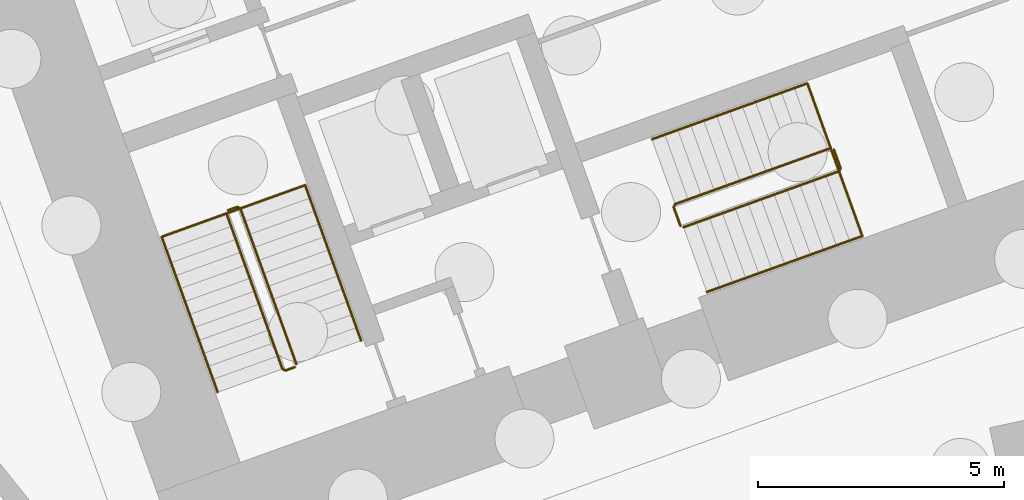
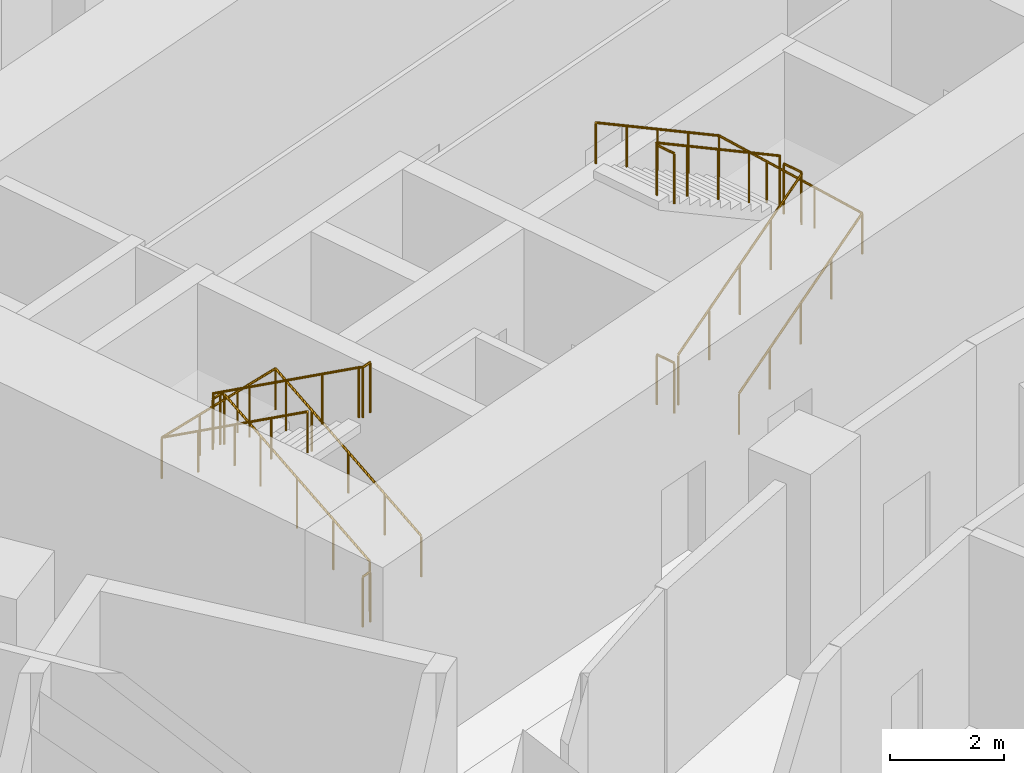
# One storey, part 23 of 25: 8 railings.
"""IFC4 building model written with IfcOpenShell, lengths in metres."""

from ifc_helpers import new_model, si_unit, direction, frame, origin, origin_2d, place, context, subcontext, project, spatial, circle, extrude, material, type_object, element, save


model = new_model("IFC4")

# Units and contexts
model_context = context("Model", 3, precision=1e-05, world=origin(), true_north=direction((0.0, 1.0)))
body_context = subcontext(model_context, "Body", "Model", "MODEL_VIEW")
ifc_project = project(units=[si_unit("LENGTHUNIT", "METRE"), si_unit("AREAUNIT", "SQUARE_METRE"), si_unit("VOLUMEUNIT", "CUBIC_METRE"), si_unit("PLANEANGLEUNIT", "RADIAN"), si_unit("MASSUNIT", "GRAM", prefix="KILO")], contexts=[model_context])

# Site, building, storey
site_placement = place(None, origin())
site = spatial("IfcSite", under=ifc_project, at=site_placement, CompositionType="ELEMENT")
building_placement = place(site_placement, origin())
building = spatial("IfcBuilding", under=site, at=building_placement, Name="Stone Belt Terrace Tower", CompositionType="ELEMENT")
storey_placement = place(building_placement, frame((0.0, 0.0, -13.5)))
storey = spatial("IfcBuildingStorey", under=building, at=storey_placement, Name="B3", CompositionType="ELEMENT", Elevation=-13.5)

# Railings
ifc_material = material(Name="Structural steel C345", Category="steel")
railing_type_1 = type_object("IfcRailingType", Name="Stair guard 1100", PredefinedType="GUARDRAIL", material=ifc_material)
railing_1_placement = place(storey_placement, frame((-24.2119140625, 45.276123046875, 0.173095703125)))
element("IfcRailing", 1, at=railing_1_placement, inside=storey, type_object=railing_type_1, Name="B3 ST1A stair guard 1", PredefinedType="GUARDRAIL", context=body_context, shape_type="SweptSolid", body=[
    extrude(circle(Radius=0.02392578125, at=origin_2d()), frame((0.0, 0.0, 1.076171875), z_axis=(-0.288083704321, 0.800342391602, 0.525794480296), x_axis=(-0.940902231577, -0.338678299589, 0.0)), (0.0, 0.0, 1.0), 3.949951171875),
    extrude(circle(Radius=0.02392578125, at=origin_2d()), frame((-1.137939453125, 3.161376953125, 3.15283203125), z_axis=(-0.903878284585, 0.427789722475, 0.0), x_axis=(-0.427789722475, -0.903878284585, 0.0)), (0.0, 0.0, 1.0), 0.07080078125),
    extrude(circle(Radius=0.02392578125, at=origin_2d()), frame((-1.201904296875, 3.191650390625, 3.15283203125), z_axis=(-0.940575576748, -0.339584429008, 0.0), x_axis=(0.339584429008, -0.940575576748, 0.0)), (0.0, 0.0, 1.0), 0.199951171875),
    extrude(circle(Radius=0.02099609375, at=origin_2d()), origin(), (0.0, 0.0, 1.0), 1.052001953125),
    extrude(circle(Radius=0.02099609375, at=origin_2d()), frame((-0.284423828125, 0.790283203125, 0.519287109375)), (0.0, 0.0, 1.0), 1.052001953125),
    extrude(circle(Radius=0.02099609375, at=origin_2d()), frame((-0.56884765625, 1.58056640625, 1.03857421875)), (0.0, 0.0, 1.0), 1.052001953125),
    extrude(circle(Radius=0.02099609375, at=origin_2d()), frame((-0.853515625, 2.37109375, 1.5576171875)), (0.0, 0.0, 1.0), 1.052001953125),
    extrude(circle(Radius=0.02099609375, at=origin_2d()), frame((-1.137939453125, 3.161376953125, 2.076904296875)), (0.0, 0.0, 1.0), 1.052001953125),
    extrude(circle(Radius=0.02099609375, at=origin_2d()), frame((-1.201904296875, 3.191650390625, 2.076904296875)), (0.0, 0.0, 1.0), 1.052001953125),
    extrude(circle(Radius=0.02099609375, at=origin_2d()), frame((-1.389892578125, 3.123779296875, 2.076904296875)), (0.0, 0.0, 1.0), 1.052001953125),
])
railing_2_placement = place(storey_placement, frame((-25.632080078125, 48.3359375, 2.423095703125)))
element("IfcRailing", 2, at=railing_2_placement, inside=storey, type_object=railing_type_1, Name="B3 ST1A stair guard 2", PredefinedType="GUARDRAIL", context=body_context, shape_type="SweptSolid", body=[
    extrude(circle(Radius=0.02392578125, at=origin_2d()), frame((0.0, 0.0, 1.076171875), z_axis=(0.288083704321, -0.800342391602, 0.525794480296), x_axis=(0.940902231577, 0.338678299589, 0.0)), (0.0, 0.0, 1.0), 3.949951171875),
    extrude(circle(Radius=0.02392578125, at=origin_2d()), frame((1.137939453125, -3.161376953125, 3.15283203125), z_axis=(0.903878284585, -0.427789722475, 0.0), x_axis=(0.427789722475, 0.903878284585, 0.0)), (0.0, 0.0, 1.0), 0.07080078125),
    extrude(circle(Radius=0.02392578125, at=origin_2d()), frame((1.201904296875, -3.191650390625, 3.15283203125), z_axis=(0.940575576748, 0.339584429008, 0.0), x_axis=(-0.339584429008, 0.940575576748, 0.0)), (0.0, 0.0, 1.0), 0.199951171875),
    extrude(circle(Radius=0.02099609375, at=origin_2d()), origin(), (0.0, 0.0, 1.0), 1.052001953125),
    extrude(circle(Radius=0.02099609375, at=origin_2d()), frame((0.284423828125, -0.790283203125, 0.519287109375)), (0.0, 0.0, 1.0), 1.052001953125),
    extrude(circle(Radius=0.02099609375, at=origin_2d()), frame((0.56884765625, -1.58056640625, 1.03857421875)), (0.0, 0.0, 1.0), 1.052001953125),
    extrude(circle(Radius=0.02099609375, at=origin_2d()), frame((0.853515625, -2.37109375, 1.5576171875)), (0.0, 0.0, 1.0), 1.052001953125),
    extrude(circle(Radius=0.02099609375, at=origin_2d()), frame((1.137939453125, -3.161376953125, 2.076904296875)), (0.0, 0.0, 1.0), 1.052001953125),
    extrude(circle(Radius=0.02099609375, at=origin_2d()), frame((1.201904296875, -3.191650390625, 2.076904296875)), (0.0, 0.0, 1.0), 1.052001953125),
    extrude(circle(Radius=0.02099609375, at=origin_2d()), frame((1.389892578125, -3.123779296875, 2.076904296875)), (0.0, 0.0, 1.0), 1.052001953125),
])
railing_3_placement = place(storey_placement, frame((-24.2421875, 45.212158203125, 0.0)))
element("IfcRailing", 3, at=railing_3_placement, inside=storey, type_object=railing_type_1, Name="B3 ST1A stair guard 3", PredefinedType="GUARDRAIL", context=body_context, shape_type="SweptSolid", body=[
    extrude(circle(Radius=0.02392578125, at=origin_2d()), frame((0.0, 0.0, 1.076171875), z_axis=(-0.940575576748, -0.339584429008, 0.0), x_axis=(0.339584429008, -0.940575576748, 0.0)), (0.0, 0.0, 1.0), 0.199951171875),
    extrude(circle(Radius=0.02099609375, at=origin_2d()), origin(), (0.0, 0.0, 1.0), 1.052001953125),
    extrude(circle(Radius=0.02099609375, at=origin_2d()), frame((-0.18798828125, -0.06787109375, 0.0)), (0.0, 0.0, 1.0), 1.052001953125),
])
railing_4_placement = place(storey_placement, frame((-16.33837890625, 48.056640625, 0.173095703125)))
element("IfcRailing", 4, at=railing_4_placement, inside=storey, type_object=railing_type_1, Name="B3 ST2A stair guard 1", PredefinedType="GUARDRAIL", context=body_context, shape_type="SweptSolid", body=[
    extrude(circle(Radius=0.02392578125, at=origin_2d()), frame((0.0, 0.0, 1.076171875), z_axis=(0.800378855174, 0.288012777229, 0.525777831735), x_axis=(-0.338590819614, 0.940933715451, 0.0)), (0.0, 0.0, 1.0), 3.9501953125),
    extrude(circle(Radius=0.02392578125, at=origin_2d()), frame((3.16162109375, 1.1376953125, 3.15283203125), z_axis=(0.424964916, 0.905209821074, 0.0), x_axis=(-0.905209821074, 0.424964916, 0.0)), (0.0, 0.0, 1.0), 0.070556640625),
    extrude(circle(Radius=0.02392578125, at=origin_2d()), frame((3.191650390625, 1.20166015625, 3.15283203125), z_axis=(-0.338654645739, 0.940910745459, 0.0), x_axis=(-0.940910745459, -0.338654645739, 0.0)), (0.0, 0.0, 1.0), 0.400146484375),
    extrude(circle(Radius=0.02099609375, at=origin_2d()), origin(), (0.0, 0.0, 1.0), 1.052001953125),
    extrude(circle(Radius=0.02099609375, at=origin_2d()), frame((0.79052734375, 0.284423828125, 0.519287109375)), (0.0, 0.0, 1.0), 1.052001953125),
    extrude(circle(Radius=0.02099609375, at=origin_2d()), frame((1.580810546875, 0.56884765625, 1.03857421875)), (0.0, 0.0, 1.0), 1.052001953125),
    extrude(circle(Radius=0.02099609375, at=origin_2d()), frame((2.37109375, 0.853271484375, 1.5576171875)), (0.0, 0.0, 1.0), 1.052001953125),
    extrude(circle(Radius=0.02099609375, at=origin_2d()), frame((3.16162109375, 1.1376953125, 2.076904296875)), (0.0, 0.0, 1.0), 1.052001953125),
    extrude(circle(Radius=0.02099609375, at=origin_2d()), frame((3.191650390625, 1.20166015625, 2.076904296875)), (0.0, 0.0, 1.0), 1.052001953125),
    extrude(circle(Radius=0.02099609375, at=origin_2d()), frame((3.05615234375, 1.578125, 2.076904296875)), (0.0, 0.0, 1.0), 1.052001953125),
])
railing_5_placement = place(storey_placement, frame((-13.34619140625, 49.664794921875, 2.423095703125)))
element("IfcRailing", 5, at=railing_5_placement, inside=storey, type_object=railing_type_1, Name="B3 ST2A stair guard 2", PredefinedType="GUARDRAIL", context=body_context, shape_type="SweptSolid", body=[
    extrude(circle(Radius=0.02392578125, at=origin_2d()), frame((0.0, 0.0, 1.076171875), z_axis=(-0.800356641085, -0.288027025056, 0.525803841664), x_axis=(0.338613969627, -0.9409253847, 0.0)), (0.0, 0.0, 1.0), 3.949951171875),
    extrude(circle(Radius=0.02392578125, at=origin_2d()), frame((-3.161376953125, -1.1376953125, 3.15283203125), z_axis=(-0.427789722475, -0.903878284585, 0.0), x_axis=(0.903878284585, -0.427789722475, 0.0)), (0.0, 0.0, 1.0), 0.07080078125),
    extrude(circle(Radius=0.02392578125, at=origin_2d()), frame((-3.191650390625, -1.20166015625, 3.15283203125), z_axis=(0.338654645739, -0.940910745459, 0.0), x_axis=(0.940910745459, 0.338654645739, 0.0)), (0.0, 0.0, 1.0), 0.400146484375),
    extrude(circle(Radius=0.02099609375, at=origin_2d()), origin(), (0.0, 0.0, 1.0), 1.052001953125),
    extrude(circle(Radius=0.02099609375, at=origin_2d()), frame((-0.790283203125, -0.284423828125, 0.519287109375)), (0.0, 0.0, 1.0), 1.052001953125),
    extrude(circle(Radius=0.02099609375, at=origin_2d()), frame((-1.58056640625, -0.56884765625, 1.03857421875)), (0.0, 0.0, 1.0), 1.052001953125),
    extrude(circle(Radius=0.02099609375, at=origin_2d()), frame((-2.37109375, -0.853271484375, 1.5576171875)), (0.0, 0.0, 1.0), 1.052001953125),
    extrude(circle(Radius=0.02099609375, at=origin_2d()), frame((-3.161376953125, -1.1376953125, 2.076904296875)), (0.0, 0.0, 1.0), 1.052001953125),
    extrude(circle(Radius=0.02099609375, at=origin_2d()), frame((-3.191650390625, -1.20166015625, 2.076904296875)), (0.0, 0.0, 1.0), 1.052001953125),
    extrude(circle(Radius=0.02099609375, at=origin_2d()), frame((-3.05615234375, -1.578125, 2.076904296875)), (0.0, 0.0, 1.0), 1.052001953125),
])
railing_6_placement = place(storey_placement, frame((-16.40234375, 48.086669921875, 0.0)))
element("IfcRailing", 6, at=railing_6_placement, inside=storey, type_object=railing_type_1, Name="B3 ST2A stair guard 3", PredefinedType="GUARDRAIL", context=body_context, shape_type="SweptSolid", body=[
    extrude(circle(Radius=0.02392578125, at=origin_2d()), frame((0.0, 0.0, 1.076171875), z_axis=(-0.338654645739, 0.940910745459, 0.0), x_axis=(-0.940910745459, -0.338654645739, 0.0)), (0.0, 0.0, 1.0), 0.400146484375),
    extrude(circle(Radius=0.02099609375, at=origin_2d()), origin(), (0.0, 0.0, 1.0), 1.052001953125),
    extrude(circle(Radius=0.02099609375, at=origin_2d()), frame((-0.135498046875, 0.37646484375, 0.0)), (0.0, 0.0, 1.0), 1.052001953125),
])
railing_type_2 = type_object("IfcRailingType", Name="Stair handrail 900", PredefinedType="HANDRAIL", material=ifc_material)
railing_7_placement = place(storey_placement, frame((-22.894775390625, 45.750244140625, 0.173095703125)))
element("IfcRailing", 7, at=railing_7_placement, inside=storey, type_object=railing_type_2, Name="B3 ST1A stair handrail 1", PredefinedType="HANDRAIL", context=body_context, shape_type="SweptSolid", body=[
    extrude(circle(Radius=0.02392578125, at=origin_2d()), frame((0.0, 0.0, 0.8759765625), z_axis=(-0.288027025056, 0.800356641085, 0.525803841664), x_axis=(-0.9409253847, -0.338613969627, 0.0)), (0.0, 0.0, 1.0), 3.949951171875),
    extrude(circle(Radius=0.02392578125, at=origin_2d()), frame((-1.1376953125, 3.161376953125, 2.95263671875), z_axis=(-0.9394470592, -0.338128597519, 0.055751901312), x_axis=(0.338655323994, -0.940910501339, 0.0)), (0.0, 0.0, 1.0), 3.104736328125),
    extrude(circle(Radius=0.02392578125, at=origin_2d()), frame((-4.054443359375, 2.111572265625, 3.1259765625), z_axis=(0.288027025056, -0.800356641085, 0.525803841664), x_axis=(0.9409253847, 0.338613969627, 0.0)), (0.0, 0.0, 1.0), 3.949951171875),
    extrude(circle(Radius=0.02099609375, at=origin_2d()), origin(), (0.0, 0.0, 1.0), 0.851806640625),
    extrude(circle(Radius=0.02099609375, at=origin_2d()), frame((-0.284423828125, 0.790283203125, 0.519287109375)), (0.0, 0.0, 1.0), 0.851806640625),
    extrude(circle(Radius=0.02099609375, at=origin_2d()), frame((-0.56884765625, 1.58056640625, 1.03857421875)), (0.0, 0.0, 1.0), 0.851806640625),
    extrude(circle(Radius=0.02099609375, at=origin_2d()), frame((-0.853271484375, 2.37109375, 1.5576171875)), (0.0, 0.0, 1.0), 0.851806640625),
    extrude(circle(Radius=0.02099609375, at=origin_2d()), frame((-1.1376953125, 3.161376953125, 2.076904296875)), (0.0, 0.0, 1.0), 0.851806640625),
    extrude(circle(Radius=0.02099609375, at=origin_2d()), frame((-2.10986328125, 2.8115234375, 2.134521484375)), (0.0, 0.0, 1.0), 0.851806640625),
    extrude(circle(Radius=0.02099609375, at=origin_2d()), frame((-3.082275390625, 2.46142578125, 2.1923828125)), (0.0, 0.0, 1.0), 0.851806640625),
    extrude(circle(Radius=0.02099609375, at=origin_2d()), frame((-4.054443359375, 2.111572265625, 2.25)), (0.0, 0.0, 1.0), 0.851806640625),
    extrude(circle(Radius=0.02099609375, at=origin_2d()), frame((-3.77001953125, 1.3212890625, 2.769287109375)), (0.0, 0.0, 1.0), 0.851806640625),
    extrude(circle(Radius=0.02099609375, at=origin_2d()), frame((-3.485595703125, 0.53076171875, 3.28857421875)), (0.0, 0.0, 1.0), 0.851806640625),
    extrude(circle(Radius=0.02099609375, at=origin_2d()), frame((-3.201171875, -0.259521484375, 3.8076171875)), (0.0, 0.0, 1.0), 0.851806640625),
    extrude(circle(Radius=0.02099609375, at=origin_2d()), frame((-2.916748046875, -1.0498046875, 4.326904296875)), (0.0, 0.0, 1.0), 0.851806640625),
])
railing_8_placement = place(storey_placement, frame((-15.8642578125, 46.7392578125, 0.173095703125)))
element("IfcRailing", 8, at=railing_8_placement, inside=storey, type_object=railing_type_2, Name="B3 ST2A stair handrail 1", PredefinedType="HANDRAIL", context=body_context, shape_type="SweptSolid", body=[
    extrude(circle(Radius=0.02392578125, at=origin_2d()), frame((0.0, 0.0, 0.8759765625), z_axis=(0.800356641085, 0.288027025056, 0.525803841664), x_axis=(-0.338613969627, 0.9409253847, 0.0)), (0.0, 0.0, 1.0), 3.949951171875),
    extrude(circle(Radius=0.02392578125, at=origin_2d()), frame((3.161376953125, 1.1376953125, 2.95263671875), z_axis=(-0.338134166301, 0.93963916565, 0.052378659364), x_axis=(-0.940930785231, -0.338598962497, 0.0)), (0.0, 0.0, 1.0), 3.3046875),
    extrude(circle(Radius=0.02392578125, at=origin_2d()), frame((2.0439453125, 4.242919921875, 3.1259765625), z_axis=(-0.800342391602, -0.288083704321, 0.525794480296), x_axis=(0.338678299589, -0.940902231577, 0.0)), (0.0, 0.0, 1.0), 3.949951171875),
    extrude(circle(Radius=0.02099609375, at=origin_2d()), origin(), (0.0, 0.0, 1.0), 0.851806640625),
    extrude(circle(Radius=0.02099609375, at=origin_2d()), frame((0.790283203125, 0.284423828125, 0.519287109375)), (0.0, 0.0, 1.0), 0.851806640625),
    extrude(circle(Radius=0.02099609375, at=origin_2d()), frame((1.58056640625, 0.56884765625, 1.03857421875)), (0.0, 0.0, 1.0), 0.851806640625),
    extrude(circle(Radius=0.02099609375, at=origin_2d()), frame((2.37109375, 0.853271484375, 1.5576171875)), (0.0, 0.0, 1.0), 0.851806640625),
    extrude(circle(Radius=0.02099609375, at=origin_2d()), frame((3.161376953125, 1.1376953125, 2.076904296875)), (0.0, 0.0, 1.0), 0.851806640625),
    extrude(circle(Radius=0.02099609375, at=origin_2d()), frame((2.788818359375, 2.1728515625, 2.134521484375)), (0.0, 0.0, 1.0), 0.851806640625),
    extrude(circle(Radius=0.02099609375, at=origin_2d()), frame((2.41650390625, 3.207763671875, 2.1923828125)), (0.0, 0.0, 1.0), 0.851806640625),
    extrude(circle(Radius=0.02099609375, at=origin_2d()), frame((2.0439453125, 4.242919921875, 2.25)), (0.0, 0.0, 1.0), 0.851806640625),
    extrude(circle(Radius=0.02099609375, at=origin_2d()), frame((1.253662109375, 3.95849609375, 2.769287109375)), (0.0, 0.0, 1.0), 0.851806640625),
    extrude(circle(Radius=0.02099609375, at=origin_2d()), frame((0.46337890625, 3.673828125, 3.28857421875)), (0.0, 0.0, 1.0), 0.851806640625),
    extrude(circle(Radius=0.02099609375, at=origin_2d()), frame((-0.3271484375, 3.389404296875, 3.8076171875)), (0.0, 0.0, 1.0), 0.851806640625),
    extrude(circle(Radius=0.02099609375, at=origin_2d()), frame((-1.117431640625, 3.10498046875, 4.326904296875)), (0.0, 0.0, 1.0), 0.851806640625),
])

save(model, "model.ifc")
